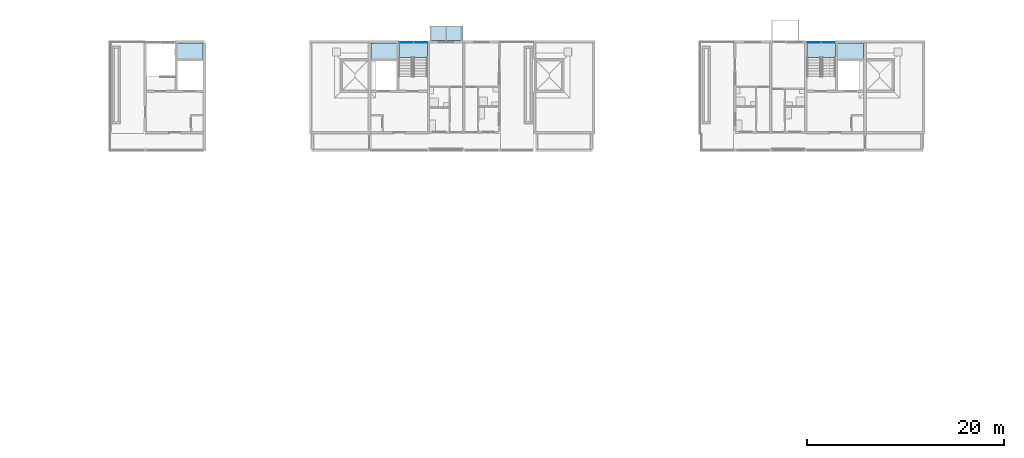
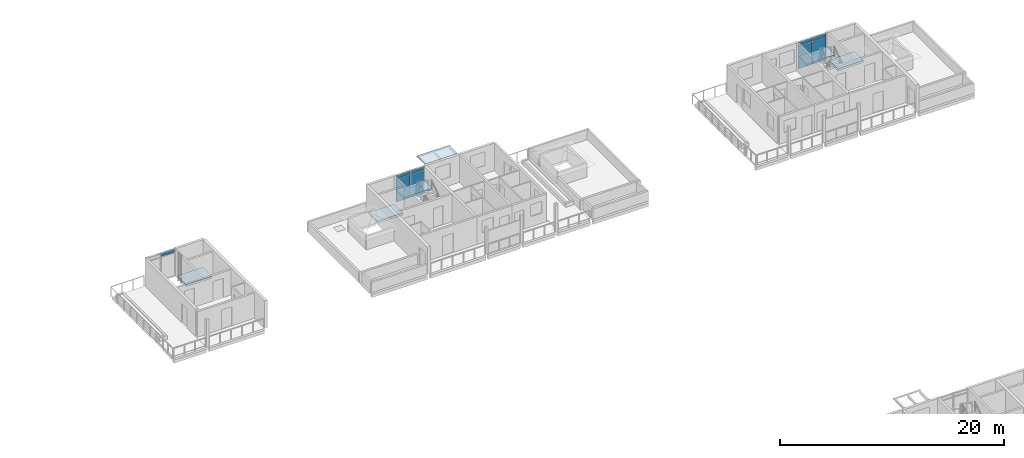
# One storey, part 30 of 78: 9 plates, 6 slabs, 5 elements without a shape of their own.
"""IFC4 building model written with IfcOpenShell, lengths in metres."""

from ifc_helpers import new_model, si_unit, direction, frame, origin, origin_2d, place, context, subcontext, project, spatial, polyline, rectangle, outline, extrude, material, layer, layer_set, type_object, element, aggregate, save


model = new_model("IFC4")

# Units and contexts
model_context = context("Model", 3, precision=1e-05, world=origin(), true_north=direction((0.0, 1.0)))
body_context = subcontext(model_context, "Body", "Model", "MODEL_VIEW")
ifc_project = project(units=[si_unit("LENGTHUNIT", "METRE"), si_unit("AREAUNIT", "SQUARE_METRE"), si_unit("VOLUMEUNIT", "CUBIC_METRE"), si_unit("PLANEANGLEUNIT", "RADIAN"), si_unit("MASSUNIT", "GRAM", prefix="KILO")], contexts=[model_context])

# Site, building, storey
site_placement = place(None, origin())
site = spatial("IfcSite", under=ifc_project, at=site_placement, CompositionType="ELEMENT")
building_placement = place(site_placement, origin())
building = spatial("IfcBuilding", under=site, at=building_placement, Name="Ridgestep Commons", CompositionType="ELEMENT")
storey_placement = place(building_placement, frame((0.0, 0.0, 30.0)))
storey = spatial("IfcBuildingStorey", under=building, at=storey_placement, Name="L10", CompositionType="ELEMENT", Elevation=30.0)

# Curtain wall, plates
ifc_material_1 = material(Name="Aluminium 6063-T6 and glass", Category="aluminium")
curtain_wall_type = type_object("IfcCurtainWallType", Name="Curtain wall stair strip", PredefinedType="NOTDEFINED", material=ifc_material_1)
curtain_wall_1_placement = place(storey_placement, origin())
curtain_wall_1 = element("IfcCurtainWall", 1, at=curtain_wall_1_placement, inside=storey, type_object=curtain_wall_type, Name="Curtain wall C3C level 10", PredefinedType="NOTDEFINED")
ifc_material_2 = material(Name="Glass laminated 6/16/6 low-emissivity", Category="glass")
ifc_layer_1 = layer(ifc_material_2, 0.028076171875)
ifc_layer_set_1 = layer_set([ifc_layer_1], Name="Glazing panel 28")
plate_type_1 = type_object("IfcPlateType", Name="Glazing panel 28", PredefinedType="CURTAIN_PANEL", material=ifc_layer_set_1)
plate_1_placement = place(storey_placement, frame((184.146240234375, 77.080078125, 0.06005859375), z_axis=(0.0, 0.0, 1.0), x_axis=(1.0, 0.0, 0.0)))
plate_1 = element("IfcPlate", 2, at=plate_1_placement, type_object=plate_type_1, Name="CW1 panel 1.1", PredefinedType="CURTAIN_PANEL", context=body_context, shape_type="SweptSolid", body=[
    extrude(rectangle(XDim=1.422607421875, YDim=0.028076171875, at=origin_2d()), origin(), (0.0, 0.0, 1.0), 2.5),
])
plate_2_placement = place(storey_placement, frame((185.628662109375, 77.080078125, 0.06005859375), z_axis=(0.0, 0.0, 1.0), x_axis=(1.0, 0.0, 0.0)))
plate_2 = element("IfcPlate", 3, at=plate_2_placement, type_object=plate_type_1, Name="CW1 panel 2.1", PredefinedType="CURTAIN_PANEL", context=body_context, shape_type="SweptSolid", body=[
    extrude(rectangle(XDim=1.422607421875, YDim=0.028076171875, at=origin_2d()), origin(), (0.0, 0.0, 1.0), 2.5),
])

curtain_wall_2_placement = place(storey_placement, origin())
curtain_wall_2 = element("IfcCurtainWall", 4, at=curtain_wall_2_placement, inside=storey, type_object=curtain_wall_type, Name="Curtain wall C5C level 10", PredefinedType="NOTDEFINED")
plate_3_placement = place(storey_placement, frame((225.5712890625, 77.080078125, 0.06005859375), z_axis=(0.0, 0.0, 1.0), x_axis=(1.0, 0.0, 0.0)))
plate_3 = element("IfcPlate", 5, at=plate_3_placement, type_object=plate_type_1, Name="CW1 panel 1.1", PredefinedType="CURTAIN_PANEL", context=body_context, shape_type="SweptSolid", body=[
    extrude(rectangle(XDim=1.422607421875, YDim=0.028076171875, at=origin_2d()), origin(), (0.0, 0.0, 1.0), 2.5),
])
plate_4_placement = place(storey_placement, frame((227.0537109375, 77.080078125, 0.06005859375), z_axis=(0.0, 0.0, 1.0), x_axis=(1.0, 0.0, 0.0)))
plate_4 = element("IfcPlate", 6, at=plate_4_placement, type_object=plate_type_1, Name="CW1 panel 2.1", PredefinedType="CURTAIN_PANEL", context=body_context, shape_type="SweptSolid", body=[
    extrude(rectangle(XDim=1.422607421875, YDim=0.028076171875, at=origin_2d()), origin(), (0.0, 0.0, 1.0), 2.5),
])

# Slabs
ifc_material_3 = material(Name="Precast concrete C50/60", Category="concrete")
ifc_layer_2 = layer(ifc_material_3, 0.25)
ifc_layer_set_2 = layer_set([ifc_layer_2], Name="Hollow-core plank 250")
slab_type_1 = type_object("IfcSlabType", Name="Hollow-core plank 250", PredefinedType="FLOOR", material=ifc_layer_set_2)
slab_1_placement = place(storey_placement, frame((0.0, 0.0, -0.25)))
element("IfcSlab", 7, at=slab_1_placement, inside=storey, type_object=slab_type_1, Name="Floor plank C1C L10", PredefinedType="FLOOR", context=body_context, shape_type="SweptSolid", body=[
    extrude(outline(polyline([(163.449951171875, 75.39990234375), (163.449951171875, 77.0), (160.824951171875, 77.0), (160.824951171875, 75.39990234375), (163.449951171875, 75.39990234375)])), origin(), (0.0, 0.0, 1.0), 0.25),
])
slab_2_placement = place(storey_placement, frame((0.0, 0.0, -0.25)))
element("IfcSlab", 8, at=slab_2_placement, inside=storey, type_object=slab_type_1, Name="Floor plank C3C L10", PredefinedType="FLOOR", context=body_context, shape_type="SweptSolid", body=[
    extrude(outline(polyline([(183.175048828125, 77.0), (180.550048828125, 77.0), (180.550048828125, 75.39990234375), (183.175048828125, 75.39990234375), (183.175048828125, 77.0)])), origin(), (0.0, 0.0, 1.0), 0.25),
])
slab_3_placement = place(storey_placement, frame((0.0, 0.0, -0.25)))
element("IfcSlab", 9, at=slab_3_placement, inside=storey, type_object=slab_type_1, Name="Floor plank C5C L10", PredefinedType="FLOOR", context=body_context, shape_type="SweptSolid", body=[
    extrude(outline(polyline([(230.64990234375, 75.39990234375), (230.64990234375, 77.0), (228.02490234375, 77.0), (228.02490234375, 75.39990234375), (230.64990234375, 75.39990234375)])), origin(), (0.0, 0.0, 1.0), 0.25),
])

# Curtain wall, plate
curtain_wall_3_placement = place(storey_placement, origin())
curtain_wall_3 = element("IfcCurtainWall", 10, at=curtain_wall_3_placement, inside=storey, type_object=curtain_wall_type, Name="Curtain wall C1C level 10", PredefinedType="NOTDEFINED")
ifc_material_4 = material(Name="Aluminium 6063-T6 and mineral wool", Category="aluminium")
ifc_layer_3 = layer(ifc_material_4, 0.0400390625)
ifc_layer_set_3 = layer_set([ifc_layer_3], Name="Spandrel panel 40")
plate_type_2 = type_object("IfcPlateType", Name="Spandrel panel 40", PredefinedType="CURTAIN_PANEL", material=ifc_layer_set_3)
plate_5_placement = place(storey_placement, frame((159.853759765625, 77.080078125, 2.6201171875), z_axis=(0.0, 0.0, 1.0), x_axis=(1.0, 0.0, 0.0)))
plate_5 = element("IfcPlate", 11, at=plate_5_placement, type_object=plate_type_2, Name="CW1 panel 2.2", PredefinedType="CURTAIN_PANEL", context=body_context, shape_type="SweptSolid", body=[
    extrude(rectangle(XDim=1.422607421875, YDim=0.0400390625, at=origin_2d()), origin(), (0.0, 0.0, 1.0), 0.320068359375),
])
aggregate(curtain_wall_3, [plate_5])

# Plate
plate_6_placement = place(storey_placement, frame((184.146240234375, 77.080078125, 2.6201171875), z_axis=(0.0, 0.0, 1.0), x_axis=(1.0, 0.0, 0.0)))
plate_6 = element("IfcPlate", 12, at=plate_6_placement, type_object=plate_type_2, Name="CW1 panel 1.2", PredefinedType="CURTAIN_PANEL", context=body_context, shape_type="SweptSolid", body=[
    extrude(rectangle(XDim=1.422607421875, YDim=0.0400390625, at=origin_2d()), origin(), (0.0, 0.0, 1.0), 0.320068359375),
])

plate_7_placement = place(storey_placement, frame((185.628662109375, 77.080078125, 2.6201171875), z_axis=(0.0, 0.0, 1.0), x_axis=(1.0, 0.0, 0.0)))
plate_7 = element("IfcPlate", 13, at=plate_7_placement, type_object=plate_type_2, Name="CW1 panel 2.2", PredefinedType="CURTAIN_PANEL", context=body_context, shape_type="SweptSolid", body=[
    extrude(rectangle(XDim=1.422607421875, YDim=0.0400390625, at=origin_2d()), origin(), (0.0, 0.0, 1.0), 0.320068359375),
])

aggregate(curtain_wall_1, [plate_1, plate_6, plate_2, plate_7])

plate_8_placement = place(storey_placement, frame((225.5712890625, 77.080078125, 2.6201171875), z_axis=(0.0, 0.0, 1.0), x_axis=(1.0, 0.0, 0.0)))
plate_8 = element("IfcPlate", 14, at=plate_8_placement, type_object=plate_type_2, Name="CW1 panel 1.2", PredefinedType="CURTAIN_PANEL", context=body_context, shape_type="SweptSolid", body=[
    extrude(rectangle(XDim=1.422607421875, YDim=0.0400390625, at=origin_2d()), origin(), (0.0, 0.0, 1.0), 0.320068359375),
])

plate_9_placement = place(storey_placement, frame((227.0537109375, 77.080078125, 2.6201171875), z_axis=(0.0, 0.0, 1.0), x_axis=(1.0, 0.0, 0.0)))
plate_9 = element("IfcPlate", 15, at=plate_9_placement, type_object=plate_type_2, Name="CW1 panel 2.2", PredefinedType="CURTAIN_PANEL", context=body_context, shape_type="SweptSolid", body=[
    extrude(rectangle(XDim=1.422607421875, YDim=0.0400390625, at=origin_2d()), origin(), (0.0, 0.0, 1.0), 0.320068359375),
])

aggregate(curtain_wall_2, [plate_3, plate_8, plate_4, plate_9])

# Stair, slab
ifc_material_5 = material(Name="Precast concrete C40/50", Category="concrete")
stair_type = type_object("IfcStairType", Name="Escape stair 1400", PredefinedType="HALF_TURN_STAIR", material=ifc_material_5)
stair_1_placement = place(storey_placement, origin())
stair_1 = element("IfcStair", 16, at=stair_1_placement, inside=storey, type_object=stair_type, Name="L10 Escape stair C3C", PredefinedType="HALF_TURN_STAIR")
ifc_material_6 = material(Name="Precast concrete C40/50", Category="concrete")
ifc_layer_4 = layer(ifc_material_6, 0.199951171875)
ifc_layer_set_4 = layer_set([ifc_layer_4], Name="Stair landing 200")
slab_type_2 = type_object("IfcSlabType", Name="Stair landing 200", PredefinedType="LANDING", material=ifc_layer_set_4)
slab_4_placement = place(storey_placement, frame((0.0, 0.0, 1.300048828125)))
slab_4 = element("IfcSlab", 17, at=slab_4_placement, type_object=slab_type_2, Name="C3C landing 1", PredefinedType="LANDING", context=body_context, shape_type="SweptSolid", body=[
    extrude(outline(polyline([(186.27490234375, 75.56005859375), (186.27490234375, 77.0), (183.375, 77.0), (183.375, 75.56005859375), (186.27490234375, 75.56005859375)])), origin(), (0.0, 0.0, 1.0), 0.199951171875),
])
aggregate(stair_1, [slab_4])

stair_2_placement = place(storey_placement, origin())
stair_2 = element("IfcStair", 18, at=stair_2_placement, inside=storey, type_object=stair_type, Name="L10 Escape stair C5C", PredefinedType="HALF_TURN_STAIR")
slab_5_placement = place(storey_placement, frame((0.0, 0.0, 1.300048828125)))
slab_5 = element("IfcSlab", 19, at=slab_5_placement, type_object=slab_type_2, Name="C5C landing 1", PredefinedType="LANDING", context=body_context, shape_type="SweptSolid", body=[
    extrude(outline(polyline([(227.824951171875, 75.56005859375), (227.824951171875, 77.0), (224.925048828125, 77.0), (224.925048828125, 75.56005859375), (227.824951171875, 75.56005859375)])), origin(), (0.0, 0.0, 1.0), 0.199951171875),
])
aggregate(stair_2, [slab_5])

# Slab
ifc_material_7 = material(Name="Weathering steel S355J2W", Category="steel")
ifc_layer_5 = layer(ifc_material_7, 0.010009765625)
ifc_layer_set_5 = layer_set([ifc_layer_5], Name="Tray 3.4 x 1.5")
slab_type_3 = type_object("IfcSlabType", Name="Tray 3.4 x 1.5", PredefinedType="FLOOR", material=ifc_layer_set_5)
slab_6_placement = place(storey_placement, frame((0.0, 0.0, 2.989990234375)))
element("IfcSlab", 20, at=slab_6_placement, inside=storey, type_object=slab_type_3, Name="Tray deck C3T3-11", PredefinedType="FLOOR", context=body_context, shape_type="SweptSolid", body=[
    extrude(outline(polyline([(186.530029296875, 77.25), (189.8701171875, 77.25), (189.8701171875, 78.75), (186.530029296875, 78.75), (186.530029296875, 77.25)])), origin(), (0.0, 0.0, 1.0), 0.010009765625),
])

save(model, "model.ifc")
